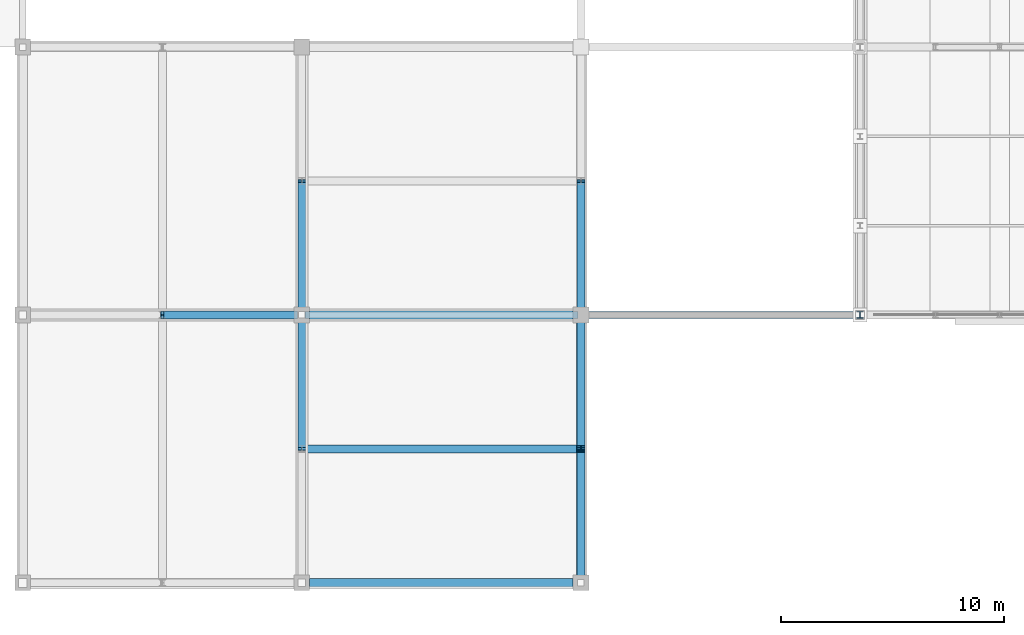
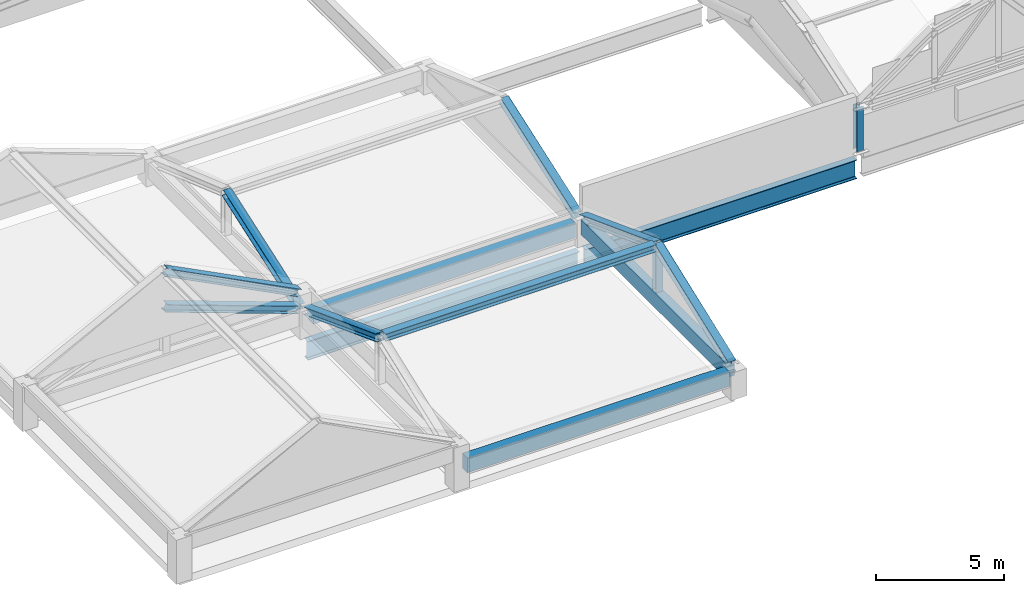
# One storey, part 6 of 117: 10 members, 5 beams.
"""IFC4 building model written with IfcOpenShell, lengths in metres."""

from ifc_helpers import new_model, si_unit, direction, frame, origin, origin_2d, place, context, subcontext, project, spatial, rectangle, i_section, extrude, material, material_profile, profile_set, type_object, element, save


model = new_model("IFC4")

# Units and contexts
model_context = context("Model", 3, precision=1e-05, world=origin(), true_north=direction((0.0, 1.0)))
body_context = subcontext(model_context, "Body", "Model", "MODEL_VIEW")
ifc_project = project(units=[si_unit("LENGTHUNIT", "METRE"), si_unit("AREAUNIT", "SQUARE_METRE"), si_unit("VOLUMEUNIT", "CUBIC_METRE"), si_unit("PLANEANGLEUNIT", "RADIAN"), si_unit("MASSUNIT", "GRAM", prefix="KILO")], contexts=[model_context])

# Site, building, storey
site_placement = place(None, origin())
site = spatial("IfcSite", under=ifc_project, at=site_placement, CompositionType="ELEMENT")
building_placement = place(site_placement, origin())
building = spatial("IfcBuilding", under=site, at=building_placement, Name="Kazenohara Klinker Stadium", CompositionType="ELEMENT")
storey_placement = place(building_placement, frame((0.0, 0.0, 31.199951171875)))
storey = spatial("IfcBuildingStorey", under=building, at=storey_placement, Name="RF", CompositionType="ELEMENT", Elevation=31.199951171875)

# Beams
ifc_material_1 = material(Name="Concrete C40/50", Category="concrete")
ifc_material_profile_1 = material_profile(ifc_material_1, rectangle(XDim=0.39990234375, YDim=0.699951171875, at=origin_2d()), Name="RC-BM-400x700")
ifc_profile_set_1 = profile_set([ifc_material_profile_1], Name="Concrete C40/50")
beam_type_1 = type_object("IfcBeamType", Name="BM-RC04", PredefinedType="BEAM", material=ifc_profile_set_1)
for number, where, z_axis, x_axis, name in (
    (1, (36.85009765625, 12.0, 0.949951171875), (1.0, 0.0, 0.0), (0.0, 1.0, 0.0), "Turret crown eave girder BG04 RF X3-1"),
    (2, (36.85009765625, 24.0, 0.75), (1.0, 0.0, 0.0), (0.0, 1.0, 0.0), "Turret crown eave girder BG04 RF X3-2"),
):
    element("IfcBeam", number, at=place(storey_placement, frame(where, z_axis=z_axis, x_axis=x_axis)), inside=storey, type_object=beam_type_1, Name=name, PredefinedType="BEAM", context=body_context, shape_type="SweptSolid", body=[
        extrude(rectangle(XDim=0.39990234375, YDim=0.699951171875, at=origin_2d()), origin(), (0.0, 0.0, 1.0), 11.7998046875),
    ])
beam_placement = place(storey_placement, frame((49.0, 12.35009765625, 0.949951171875), z_axis=(0.0, 1.0, 0.0), x_axis=(-1.0, 0.0, 0.0)))
element("IfcBeam", 3, at=beam_placement, inside=storey, type_object=beam_type_1, Name="Turret crown eave girder BG04 RF Y4-1", PredefinedType="BEAM", context=body_context, shape_type="SweptSolid", body=[
    extrude(rectangle(XDim=0.39990234375, YDim=0.699951171875, at=origin_2d()), origin(), (0.0, 0.0, 1.0), 11.2998046875),
])

# Members
ifc_material_2 = material(Name="Steel S355", Category="steel")
ifc_material_profile_2 = material_profile(ifc_material_2, i_section(OverallWidth=0.35009765625, OverallDepth=0.35009765625, WebThickness=0.011962890625, FlangeThickness=0.01904296875, FilletRadius=0.012939453125, at=origin_2d()), Name="H-350x350x12x19")
ifc_profile_set_2 = profile_set([ifc_material_profile_2], Name="Steel S355")
member_type_1 = type_object("IfcMemberType", Name="MEM-CHD02", PredefinedType="CHORD", material=ifc_profile_set_2)
member_1_placement = place(storey_placement, frame((36.25, 24.0, 2.080078125), z_axis=(-0.890230058261, 0.0, 0.455511189072), x_axis=(0.0, -1.0, 0.0)))
element("IfcMember", 4, at=member_1_placement, inside=storey, type_object=member_type_1, Name="Crown gable rafter GT2-SW N East", PredefinedType="CHORD", context=body_context, shape_type="SweptSolid", body=[
    extrude(i_section(OverallWidth=0.35009765625, OverallDepth=0.35009765625, WebThickness=0.011962890625, FlangeThickness=0.01904296875, FilletRadius=0.012939453125, at=origin_2d()), origin(), (0.0, 0.0, 1.0), 6.73974609375),
])
for number, where, z_axis, x_axis, name in (
    (5, (36.5, 23.75, 1.280029296875), (0.0, -0.935595776827, 0.35307299866), (1.0, 0.0, 0.0), "Crown gable rafter GT2-SE W North"),
    (6, (49.0, 12.25, 1.280029296875), (0.0, 0.935595776827, 0.35307299866), (-1.0, 0.0, 0.0), "Crown gable rafter GT2-SE E South"),
    (7, (49.0, 23.75, 1.280029296875), (0.0, -0.935595776827, 0.35307299866), (1.0, 0.0, 0.0), "Crown gable rafter GT2-SE E North"),
):
    element("IfcMember", number, at=place(storey_placement, frame(where, z_axis=z_axis, x_axis=x_axis)), inside=storey, type_object=member_type_1, Name=name, PredefinedType="CHORD", context=body_context, shape_type="SweptSolid", body=[
        extrude(i_section(OverallWidth=0.35009765625, OverallDepth=0.35009765625, WebThickness=0.011962890625, FlangeThickness=0.01904296875, FilletRadius=0.012939453125, at=origin_2d()), origin(), (0.0, 0.0, 1.0), 6.145751953125),
    ])
member_2_placement = place(storey_placement, frame((36.64990234375, 18.0, 3.449951171875), z_axis=(1.0, 0.0, 0.0), x_axis=(0.0, 1.0, 0.0)))
element("IfcMember", 8, at=member_2_placement, inside=storey, type_object=member_type_1, Name="Crown ridge beam GT2-SE", PredefinedType="CHORD", context=body_context, shape_type="SweptSolid", body=[
    extrude(i_section(OverallWidth=0.35009765625, OverallDepth=0.35009765625, WebThickness=0.011962890625, FlangeThickness=0.01904296875, FilletRadius=0.012939453125, at=origin_2d()), origin(), (0.0, 0.0, 1.0), 12.2001953125),
])
member_3_placement = place(storey_placement, frame((36.25, 24.0, 1.280029296875), z_axis=(-0.940390807712, 0.0, 0.340095764117), x_axis=(0.0, -1.0, 0.0)))
element("IfcMember", 9, at=member_3_placement, inside=storey, type_object=member_type_1, Name="Crown gable rafter GT2-NW S East", PredefinedType="CHORD", context=body_context, shape_type="SweptSolid", body=[
    extrude(i_section(OverallWidth=0.35009765625, OverallDepth=0.35009765625, WebThickness=0.011962890625, FlangeThickness=0.01904296875, FilletRadius=0.012939453125, at=origin_2d()), origin(), (0.0, 0.0, 1.0), 6.38037109375),
])
for number, where, z_axis, x_axis, name in (
    (10, (36.5, 24.25, 1.080078125), (0.0, 0.943473005792, 0.331449373723), (-1.0, 0.0, 0.0), "Crown gable rafter GT2-NE W South"),
    (11, (49.0, 24.25, 1.080078125), (0.0, 0.943473005792, 0.331449373723), (-1.0, 0.0, 0.0), "Crown gable rafter GT2-NE E South"),
):
    element("IfcMember", number, at=place(storey_placement, frame(where, z_axis=z_axis, x_axis=x_axis)), inside=storey, type_object=member_type_1, Name=name, PredefinedType="CHORD", context=body_context, shape_type="SweptSolid", body=[
        extrude(i_section(OverallWidth=0.35009765625, OverallDepth=0.35009765625, WebThickness=0.011962890625, FlangeThickness=0.01904296875, FilletRadius=0.012939453125, at=origin_2d()), origin(), (0.0, 0.0, 1.0), 6.094482421875),
    ])
ifc_material_profile_3 = material_profile(ifc_material_2, i_section(OverallWidth=0.300048828125, OverallDepth=0.300048828125, WebThickness=0.010009765625, FlangeThickness=0.014892578125, FilletRadius=0.012939453125, at=origin_2d()), Name="H-300x300x10x15")
ifc_profile_set_3 = profile_set([ifc_material_profile_3], Name="Steel S355")
member_type_2 = type_object("IfcMemberType", Name="MEM-STR01", PredefinedType="STRUT", material=ifc_profile_set_3)
member_4_placement = place(storey_placement, frame((49.0, 18.0, 1.280029296875), z_axis=(0.0, 0.0, 1.0), x_axis=(1.0, 0.0, 0.0)))
element("IfcMember", 12, at=member_4_placement, inside=storey, type_object=member_type_2, Name="Crown gable king-post GT2-SE E", PredefinedType="STRUT", context=body_context, shape_type="SweptSolid", body=[
    extrude(i_section(OverallWidth=0.300048828125, OverallDepth=0.300048828125, WebThickness=0.010009765625, FlangeThickness=0.014892578125, FilletRadius=0.012939453125, at=origin_2d()), origin(), (0.0, 0.0, 1.0), 2.169921875),
])
member_5_placement = place(storey_placement, frame((61.5, 24.0, -0.02001953125), z_axis=(0.0, 0.0, 1.0), x_axis=(1.0, 0.0, 0.0)))
element("IfcMember", 13, at=member_5_placement, inside=storey, type_object=member_type_2, Name="ROOF TRUSS RT-S01 web post 1", PredefinedType="STRUT", context=body_context, shape_type="SweptSolid", body=[
    extrude(i_section(OverallWidth=0.300048828125, OverallDepth=0.300048828125, WebThickness=0.010009765625, FlangeThickness=0.014892578125, FilletRadius=0.012939453125, at=origin_2d()), origin(), (0.0, 0.0, 1.0), 2.1201171875),
])

# Beams
ifc_material_profile_4 = material_profile(ifc_material_2, i_section(OverallWidth=0.300048828125, OverallDepth=0.89990234375, WebThickness=0.01611328125, FlangeThickness=0.028076171875, FilletRadius=0.02197265625, at=origin_2d()), Name="H-900x300x16x28")
ifc_profile_set_4 = profile_set([ifc_material_profile_4], Name="Steel S355")
beam_type_2 = type_object("IfcBeamType", Name="RING-RB01", PredefinedType="USERDEFINED", material=ifc_profile_set_4)
for number, where, z_axis, x_axis, name in (
    (14, (36.639892578125, 24.0, -0.820068359375), (1.0, 0.0, 0.0), (0.0, 1.0, 0.0), "Roof ring beam RB01 S-OUT 4-5"),
    (15, (49.139892578125, 24.0, -0.820068359375), (1.0, 0.0, 0.0), (0.0, 1.0, 0.0), "Roof ring beam RB01 S-OUT 5-6"),
):
    element("IfcBeam", number, at=place(storey_placement, frame(where, z_axis=z_axis, x_axis=x_axis)), inside=storey, type_object=beam_type_2, Name=name, ObjectType="RING BEAM", PredefinedType="USERDEFINED", context=body_context, shape_type="SweptSolid", body=[
        extrude(i_section(OverallWidth=0.300048828125, OverallDepth=0.89990234375, WebThickness=0.01611328125, FlangeThickness=0.028076171875, FilletRadius=0.02197265625, at=origin_2d()), origin(), (0.0, 0.0, 1.0), 12.22021484375),
    ])

save(model, "model.ifc")
